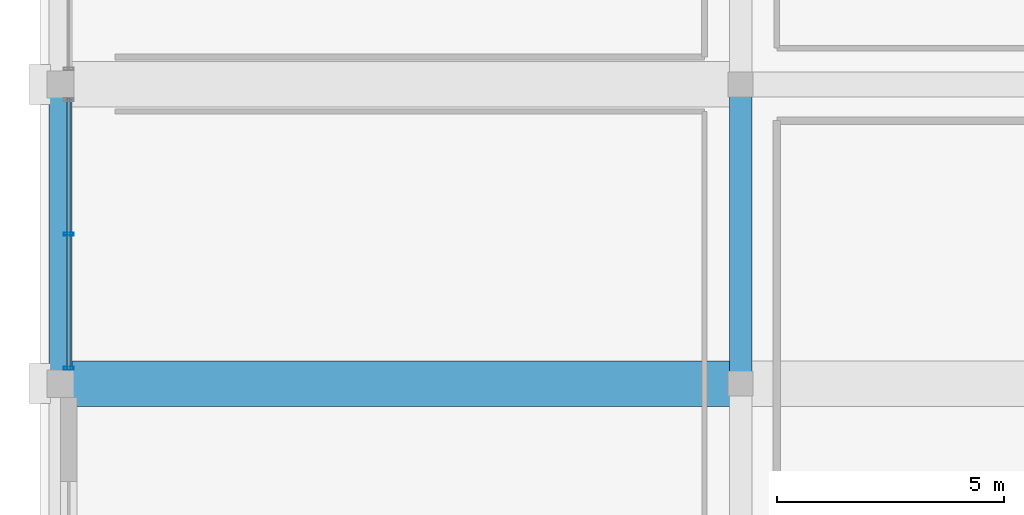
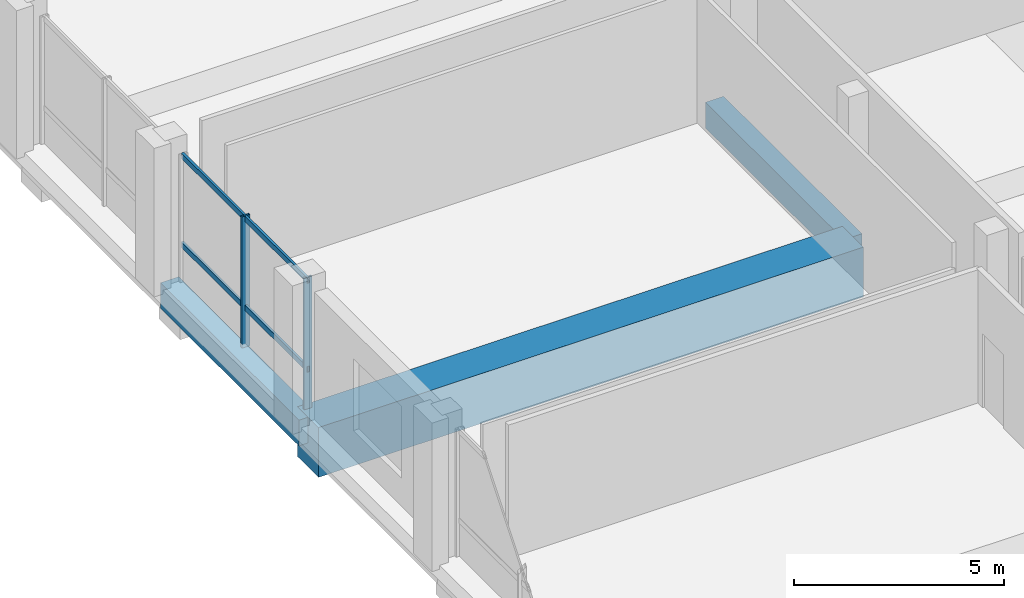
# One storey, part 19 of 68: 4 members, 3 beams, 1 element without a shape of its own.
"""IFC4 building model written with IfcOpenShell, lengths in metres."""

from ifc_helpers import new_model, si_unit, direction, frame, origin, origin_2d, place, context, subcontext, project, spatial, rectangle, hollow_rectangle, extrude, material, material_profile, profile_set, type_object, element, aggregate, save


model = new_model("IFC4")

# Units and contexts
model_context = context("Model", 3, precision=1e-05, world=origin(), true_north=direction((0.0, 1.0)))
body_context = subcontext(model_context, "Body", "Model", "MODEL_VIEW")
ifc_project = project(units=[si_unit("LENGTHUNIT", "METRE"), si_unit("AREAUNIT", "SQUARE_METRE"), si_unit("VOLUMEUNIT", "CUBIC_METRE"), si_unit("PLANEANGLEUNIT", "RADIAN"), si_unit("MASSUNIT", "GRAM", prefix="KILO")], contexts=[model_context])

# Site, building, storey
site_placement = place(None, origin())
site = spatial("IfcSite", under=ifc_project, at=site_placement, CompositionType="ELEMENT")
building_placement = place(site_placement, origin())
building = spatial("IfcBuilding", under=site, at=building_placement, Name="Akrevak Sports Hall", CompositionType="ELEMENT")
storey_placement = place(building_placement, frame((0.0, 0.0, 9.39990234375)))
storey = spatial("IfcBuildingStorey", under=building, at=storey_placement, Name="L02", CompositionType="ELEMENT", Elevation=9.39990234375)

# Curtain wall, members
ifc_material_1 = material(Name="Anodized Bronze Aluminium & Low-E Glass", Category="aluminium")
curtain_wall_type = type_object("IfcCurtainWallType", Name="ARC-CW-POD-64x42", PredefinedType="NOTDEFINED", material=ifc_material_1)
curtain_wall_placement = place(storey_placement, origin())
curtain_wall = element("IfcCurtainWall", 1, at=curtain_wall_placement, inside=storey, type_object=curtain_wall_type, Name="Curtain Wall CW-L02-W05", PredefinedType="NOTDEFINED")
ifc_material_2 = material(Name="Anodized Bronze Aluminium", Category="aluminium")
ifc_material_profile_1 = material_profile(ifc_material_2, hollow_rectangle(XDim=0.06494140625, YDim=0.219970703125, WallThickness=0.00439453125, at=origin_2d()), Name="CWM 65x220", Category="aluminium")
ifc_profile_set_1 = profile_set([ifc_material_profile_1], Name="Anodized Bronze Aluminium")
member_type_1 = type_object("IfcMemberType", Name="ARC-CWM-70x160", PredefinedType="MULLION", material=ifc_profile_set_1)
member_1_placement = place(storey_placement, frame((0.179931640625, 45.300048828125, 0.0), z_axis=(0.0, 0.0, 1.0), x_axis=(0.0, -1.0, 0.0)))
member_1 = element("IfcMember", 2, at=member_1_placement, type_object=member_type_1, Name="Curtain Wall Mullion CW-L02-W05-M2", PredefinedType="MULLION", context=body_context, shape_type="SweptSolid", body=[
    extrude(hollow_rectangle(XDim=0.06494140625, YDim=0.219970703125, WallThickness=0.00439453125, at=origin_2d()), origin(), (0.0, 0.0, 1.0), 3.820068359375),
])
member_2_placement = place(storey_placement, frame((0.179931640625, 42.340087890625, 0.0), z_axis=(0.0, 0.0, 1.0), x_axis=(0.0, -1.0, 0.0)))
member_2 = element("IfcMember", 3, at=member_2_placement, type_object=member_type_1, Name="Curtain Wall Mullion CW-L02-W05-M3", PredefinedType="MULLION", context=body_context, shape_type="SweptSolid", body=[
    extrude(hollow_rectangle(XDim=0.06494140625, YDim=0.219970703125, WallThickness=0.00439453125, at=origin_2d()), origin(), (0.0, 0.0, 1.0), 3.820068359375),
])
ifc_material_profile_2 = material_profile(ifc_material_2, hollow_rectangle(XDim=0.06494140625, YDim=0.159912109375, WallThickness=0.00390625, at=origin_2d()), Name="CWT 65x160", Category="aluminium")
ifc_profile_set_2 = profile_set([ifc_material_profile_2], Name="Anodized Bronze Aluminium")
member_type_2 = type_object("IfcMemberType", Name="ARC-CWT-70x130", PredefinedType="USERDEFINED", material=ifc_profile_set_2)
member_3_placement = place(storey_placement, frame((0.179931640625, 48.300048828125, 1.150146484375), z_axis=(0.0, -1.0, 0.0), x_axis=(1.0, 0.0, 0.0)))
member_3 = element("IfcMember", 4, at=member_3_placement, type_object=member_type_2, Name="Curtain Wall Transom CW-L02-W05-T1", ObjectType="TRANSOM", PredefinedType="USERDEFINED", context=body_context, shape_type="SweptSolid", body=[
    extrude(hollow_rectangle(XDim=0.06494140625, YDim=0.159912109375, WallThickness=0.00390625, at=origin_2d()), origin(), (0.0, 0.0, 1.0), 6.0),
])
member_4_placement = place(storey_placement, frame((0.179931640625, 48.300048828125, 3.739990234375), z_axis=(0.0, -1.0, 0.0), x_axis=(1.0, 0.0, 0.0)))
member_4 = element("IfcMember", 5, at=member_4_placement, type_object=member_type_2, Name="Curtain Wall Transom CW-L02-W05-T2", ObjectType="TRANSOM", PredefinedType="USERDEFINED", context=body_context, shape_type="SweptSolid", body=[
    extrude(hollow_rectangle(XDim=0.06494140625, YDim=0.159912109375, WallThickness=0.00390625, at=origin_2d()), origin(), (0.0, 0.0, 1.0), 6.0),
])
aggregate(curtain_wall, [member_1, member_2, member_3, member_4])

# Beams
ifc_material_3 = material(Name="Concrete C50/60", Category="concrete")
ifc_material_profile_3 = material_profile(ifc_material_3, rectangle(XDim=1.0, YDim=1.449951171875, at=origin_2d()), Name="BM 1000x1450", Category="concrete")
ifc_profile_set_3 = profile_set([ifc_material_profile_3], Name="Concrete C50/60")
beam_type_1 = type_object("IfcBeamType", Name="STR-BM-LG1000x1450", PredefinedType="BEAM", material=ifc_profile_set_3)
beam_placement = place(storey_placement, frame((0.0, 42.0, -0.724853515625), z_axis=(1.0, 0.0, 0.0), x_axis=(0.0, 1.0, 0.0)))
element("IfcBeam", 6, at=beam_placement, inside=storey, type_object=beam_type_1, Name="Girder G/1-3 (L02)", PredefinedType="BEAM", context=body_context, shape_type="SweptSolid", body=[
    extrude(rectangle(XDim=1.0, YDim=1.449951171875, at=origin_2d()), origin(), (0.0, 0.0, 1.0), 15.0),
])
ifc_material_4 = material(Name="Concrete C40/50", Category="concrete")
ifc_material_profile_4 = material_profile(ifc_material_4, rectangle(XDim=0.5, YDim=0.75, at=origin_2d()), Name="BM 500x750", Category="concrete")
ifc_profile_set_4 = profile_set([ifc_material_profile_4], Name="Concrete C40/50")
beam_type_2 = type_object("IfcBeamType", Name="STR-BM-RC500x750", PredefinedType="BEAM", material=ifc_profile_set_4)
for number, where, z_axis, x_axis, name in (
    (7, (0.0, 42.0, -0.375), (0.0, 1.0, 0.0), (-1.0, 0.0, 0.0), "Girder 1/G-H (L02)"),
    (8, (15.0, 42.0, -0.375), (0.0, 1.0, 0.0), (-1.0, 0.0, 0.0), "Girder 3/G-H (L02)"),
):
    element("IfcBeam", number, at=place(storey_placement, frame(where, z_axis=z_axis, x_axis=x_axis)), inside=storey, type_object=beam_type_2, Name=name, PredefinedType="BEAM", context=body_context, shape_type="SweptSolid", body=[
        extrude(rectangle(XDim=0.5, YDim=0.75, at=origin_2d()), origin(), (0.0, 0.0, 1.0), 6.60009765625),
    ])

save(model, "model.ifc")
